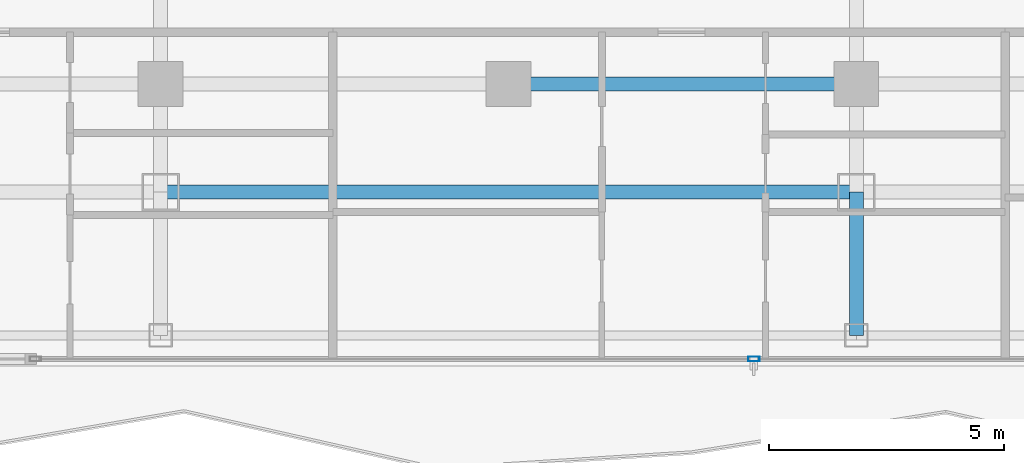
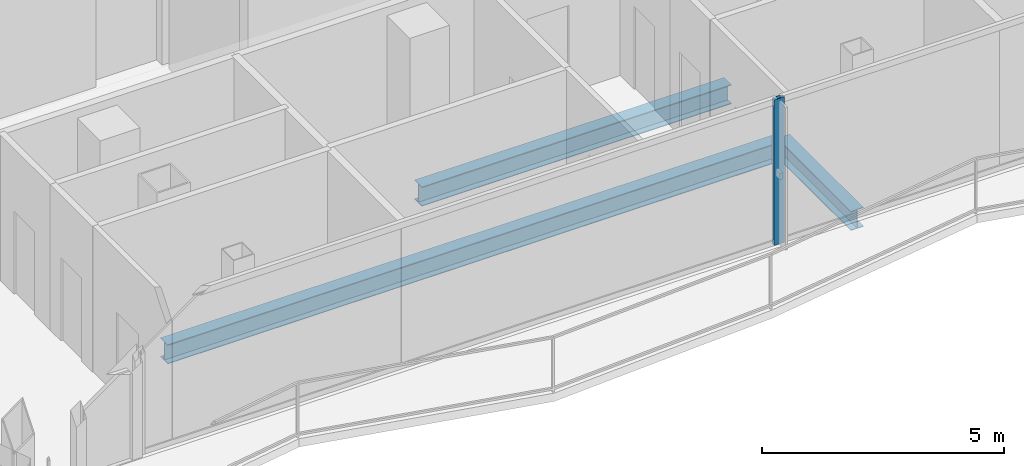
# One storey, part 4 of 26: 3 beams, 1 member, 1 element without a shape of its own.
"""IFC4 building model written with IfcOpenShell, lengths in metres."""

from ifc_helpers import new_model, si_unit, direction, frame, origin, origin_2d, place, context, subcontext, project, spatial, hollow_rectangle, i_section, extrude, material, layer, layer_set, material_profile, profile_set, type_object, element, aggregate, save


model = new_model("IFC4")

# Units and contexts
model_context = context("Model", 3, precision=1e-05, world=origin(), true_north=direction((0.0, 1.0)))
body_context = subcontext(model_context, "Body", "Model", "MODEL_VIEW")
ifc_project = project(units=[si_unit("LENGTHUNIT", "METRE"), si_unit("AREAUNIT", "SQUARE_METRE"), si_unit("VOLUMEUNIT", "CUBIC_METRE"), si_unit("PLANEANGLEUNIT", "RADIAN"), si_unit("MASSUNIT", "GRAM", prefix="KILO")], contexts=[model_context])

# Site, building, storey
site_placement = place(None, origin())
site = spatial("IfcSite", under=ifc_project, at=site_placement, CompositionType="ELEMENT")
building_placement = place(site_placement, origin())
building = spatial("IfcBuilding", under=site, at=building_placement, Name="Khorvyn Point Tower", CompositionType="ELEMENT")
storey_placement = place(building_placement, frame((0.0, 0.0, 262.5)))
storey = spatial("IfcBuildingStorey", under=building, at=storey_placement, Name="L64", CompositionType="ELEMENT", Elevation=262.5)

# Curtain wall, member
ifc_material_1 = material(Name="Anodised aluminium 6063-T6 and laminated Low-E glass", Category="aluminium")
ifc_layer = layer(ifc_material_1, 0.18994140625)
ifc_layer_set = layer_set([ifc_layer], Name="Stick-Built High-Wind Curtain Wall CW-SYS-04")
curtain_wall_type = type_object("IfcCurtainWallType", Name="Stick-Built High-Wind Curtain Wall CW-SYS-04", PredefinedType="NOTDEFINED", material=ifc_layer_set)
curtain_wall_placement = place(storey_placement, origin())
curtain_wall = element("IfcCurtainWall", 1, at=curtain_wall_placement, inside=storey, type_object=curtain_wall_type, Name="Curtain Wall", PredefinedType="NOTDEFINED")
ifc_material_2 = material(Name="Anodised aluminium 6063-T6", Category="aluminium")
ifc_material_profile_1 = material_profile(ifc_material_2, hollow_rectangle(XDim=0.10009765625, YDim=0.239990234375, WallThickness=0.0048828125, at=origin_2d()))
ifc_profile_set_1 = profile_set([ifc_material_profile_1], Name="Anodised aluminium 6063-T6 ALU-MUL-100x240")
member_type = type_object("IfcMemberType", Name="Anodised Aluminium 6063-T6 Mullion ALU-MUL-100x240", PredefinedType="MULLION", material=ifc_profile_set_1)
member_placement = place(storey_placement, frame((5.220458984375, -20.64990234375, 0.0), z_axis=(0.0, 0.0, 1.0), x_axis=(0.0, -1.0, 0.0)))
member = element("IfcMember", 2, at=member_placement, type_object=member_type, Name="Transom", PredefinedType="MULLION", context=body_context, shape_type="SweptSolid", body=[
    extrude(hollow_rectangle(XDim=0.10009765625, YDim=0.239990234375, WallThickness=0.0048828125, at=origin_2d()), origin(), (0.0, 0.0, 1.0), 3.679931640625),
])
aggregate(curtain_wall, [member])

# Beams
ifc_material_3 = material(Name="Steel S355", Category="steel")
ifc_material_profile_2 = material_profile(ifc_material_3, i_section(OverallWidth=0.300048828125, OverallDepth=0.488037109375, WebThickness=0.010986328125, FlangeThickness=0.01806640625, at=origin_2d()))
ifc_profile_set_2 = profile_set([ifc_material_profile_2], Name="Steel S355 H488x300x11x18")
beam_type = type_object("IfcBeamType", Name="Steel S355 Spandrel H488x300x11x18", PredefinedType="SPANDREL", material=ifc_profile_set_2)
beam_1_placement = place(storey_placement, frame((0.0, -14.800048828125, -0.464111328125), z_axis=(1.0, 0.0, 0.0), x_axis=(0.0, 1.0, 0.0)))
element("IfcBeam", 3, at=beam_1_placement, inside=storey, type_object=beam_type, Name="Beam", PredefinedType="SPANDREL", context=body_context, shape_type="SweptSolid", body=[
    extrude(i_section(OverallWidth=0.300048828125, OverallDepth=0.488037109375, WebThickness=0.010986328125, FlangeThickness=0.01806640625, at=origin_2d()), origin(), (0.0, 0.0, 1.0), 7.39990234375),
])
beam_2_placement = place(storey_placement, frame((-7.39990234375, -17.10009765625, -0.464111328125), z_axis=(1.0, 0.0, 0.0), x_axis=(0.0, 1.0, 0.0)))
element("IfcBeam", 4, at=beam_2_placement, inside=storey, type_object=beam_type, Name="Beam", PredefinedType="SPANDREL", context=body_context, shape_type="SweptSolid", body=[
    extrude(i_section(OverallWidth=0.300048828125, OverallDepth=0.488037109375, WebThickness=0.010986328125, FlangeThickness=0.01806640625, at=origin_2d()), origin(), (0.0, 0.0, 1.0), 14.7998046875),
])
beam_3_placement = place(storey_placement, frame((7.39990234375, -20.14990234375, -0.464111328125), z_axis=(0.0, 1.0, 0.0), x_axis=(-1.0, 0.0, 0.0)))
element("IfcBeam", 5, at=beam_3_placement, inside=storey, type_object=beam_type, Name="Beam", PredefinedType="SPANDREL", context=body_context, shape_type="SweptSolid", body=[
    extrude(i_section(OverallWidth=0.300048828125, OverallDepth=0.488037109375, WebThickness=0.010986328125, FlangeThickness=0.01806640625, at=origin_2d()), origin(), (0.0, 0.0, 1.0), 3.0498046875),
])

save(model, "model.ifc")
